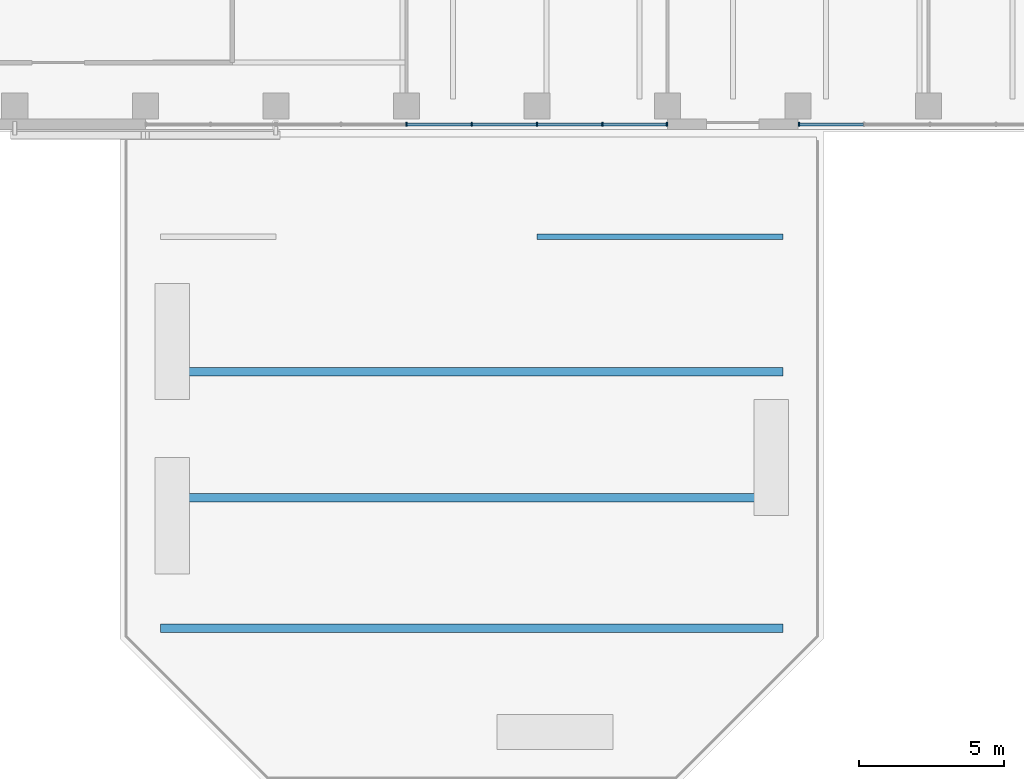
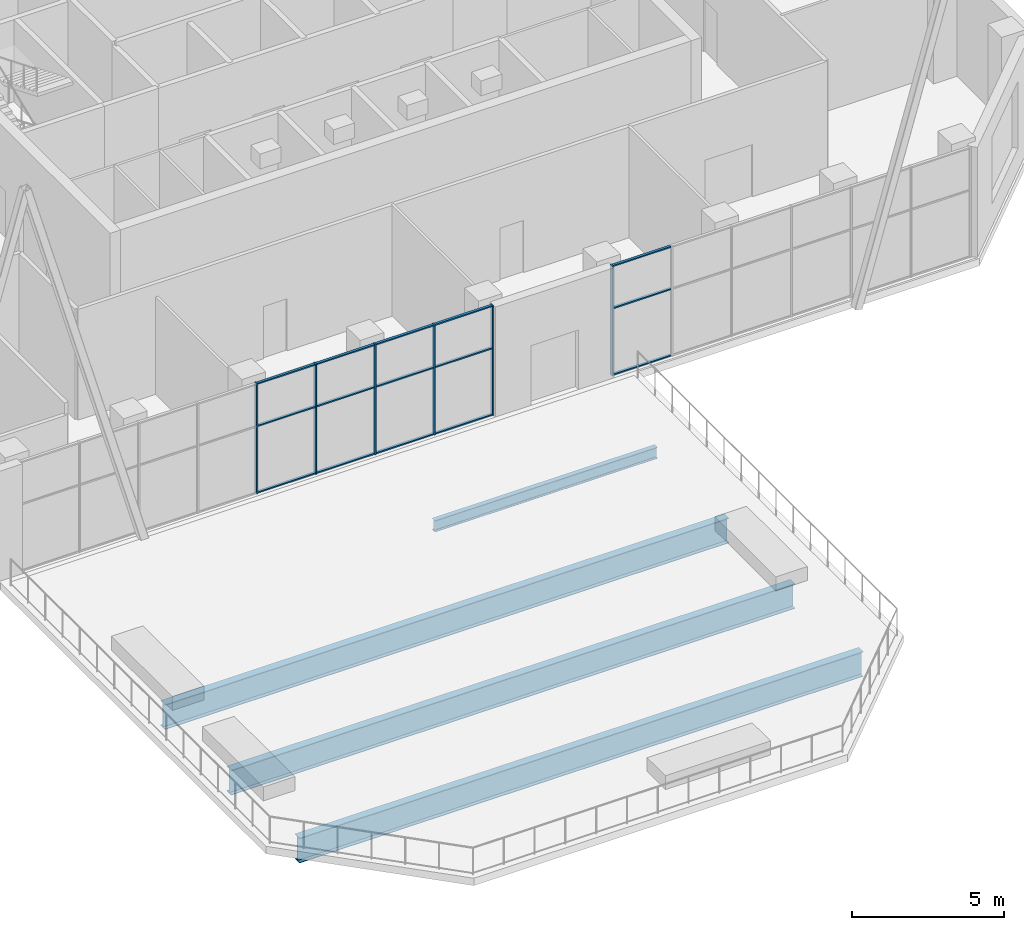
# One storey, part 3 of 14: 21 members, 4 beams, 2 elements without a shape of their own.
"""IFC4 building model written with IfcOpenShell, lengths in metres."""

import ifcopenshell
import ifcopenshell.guid

model = None  # the IFC model being written
_history = None  # IfcOwnerHistory: only IFC2X3 demands one
_inside = {}  # id of a spatial element -> (the spatial element, [elements in it])
_under = {}  # id of a project, library or spatial element -> (it, [spatial elements below it])
_declared = {}  # id of a project -> (the project, [libraries it declares])
_typed = {}  # id of a type object -> (the type object, [elements of that type])
_made_of = {}  # id of a material, layer set ... -> (it, [elements and type objects made of it])


def new_model(schema):
    """Start an empty IFC model of exactly this schema.

    Asked for "IFC4X3", IfcOpenShell would pick the latest addendum, in which some entities
    have other attributes; the version numbers below select the first issue.
    IFC2X3 requires an IfcOwnerHistory on every rooted entity: one is made here for all.
    """
    global model, _history
    if schema == "IFC4X3":
        model = ifcopenshell.file(schema_version=(4, 3, 0, 0))
    else:
        model = ifcopenshell.file(schema=schema)
    _inside.clear()
    _under.clear()
    _declared.clear()
    _typed.clear()
    _made_of.clear()
    _history = None
    if model.schema == "IFC2X3":
        org = make("IfcOrganization", Name="unknown")
        user = make(
            "IfcPersonAndOrganization",
            ThePerson=make("IfcPerson", FamilyName="unknown"),
            TheOrganization=org,
        )
        app = make(
            "IfcApplication",
            ApplicationDeveloper=org,
            Version="unknown",
            ApplicationFullName="unknown",
            ApplicationIdentifier="unknown",
        )
        _history = make(
            "IfcOwnerHistory",
            OwningUser=user,
            OwningApplication=app,
            ChangeAction="ADDED",
            CreationDate=0,
        )
    return model


def make(cls, **values):
    """One entity of the class cls with the attributes given. An attribute that is None is left unset."""
    return model.create_entity(
        cls, **{name: value for name, value in values.items() if value is not None}
    )


def rooted(cls, **values):
    """An entity with a GlobalId (a new one), such as an element, a storey or a relation."""
    return make(cls, GlobalId=ifcopenshell.guid.new(), OwnerHistory=_history, **values)


def si_unit(unit_type, name, prefix=None):
    """IfcSIUnit, for example si_unit("LENGTHUNIT", "METRE", prefix="MILLI")."""
    return make("IfcSIUnit", UnitType=unit_type, Prefix=prefix, Name=name)


def assignment(units):
    """IfcUnitAssignment: the units of a project."""
    return None if units is None else make("IfcUnitAssignment", Units=units)


def point(xyz):
    """IfcCartesianPoint."""
    return None if xyz is None else make("IfcCartesianPoint", Coordinates=xyz)


def direction(xyz):
    """IfcDirection."""
    return None if xyz is None else make("IfcDirection", DirectionRatios=xyz)


def frame(location, z_axis=None, x_axis=None):
    """IfcAxis2Placement3D, a coordinate frame: its origin and axes. An axis left out is left unset."""
    return make(
        "IfcAxis2Placement3D",
        Location=point(location),
        Axis=direction(z_axis),
        RefDirection=direction(x_axis),
    )


def frame_2d(location, x_axis=None):
    """IfcAxis2Placement2D, a coordinate frame in the plane: its origin and x axis."""
    return make(
        "IfcAxis2Placement2D", Location=point(location), RefDirection=direction(x_axis)
    )


def origin():
    """The frame at (0, 0, 0) with its axes left unset."""
    return frame((0.0, 0.0, 0.0))


def origin_2d():
    """The frame at (0, 0) in the plane with its x axis left unset."""
    return frame_2d((0.0, 0.0))


def place(relative_to, where):
    """IfcLocalPlacement: puts the frame where relative to a parent placement (None: the world)."""
    return make(
        "IfcLocalPlacement", PlacementRelTo=relative_to, RelativePlacement=where
    )


def context(
    kind, dimensions, precision=None, world=None, true_north=None, identifier=None
):
    """IfcGeometricRepresentationContext, for example the 3D "Model" context."""
    return make(
        "IfcGeometricRepresentationContext",
        ContextIdentifier=identifier,
        ContextType=kind,
        CoordinateSpaceDimension=dimensions,
        Precision=precision,
        WorldCoordinateSystem=world,
        TrueNorth=true_north,
    )


def subcontext(parent, identifier, kind, view, scale=None):
    """IfcGeometricRepresentationSubContext, for example "Body" below "Model"."""
    return make(
        "IfcGeometricRepresentationSubContext",
        ContextIdentifier=identifier,
        ContextType=kind,
        ParentContext=parent,
        TargetScale=scale,
        TargetView=view,
    )


def project(units=None, contexts=None):
    """IfcProject with its units and contexts."""
    return rooted(
        "IfcProject",
        Name="project",
        RepresentationContexts=contexts,
        UnitsInContext=assignment(units),
    )


def spatial(cls, under=None, at=None, **own):
    """A site, building, storey or space (cls), placed at a placement, below another one or the project."""
    s = rooted(cls, ObjectPlacement=at, **own)
    if under is not None:
        _under.setdefault(under.id(), (under, []))[1].append(s)
    return s


def profile(cls, at=None, kind="AREA", **sizes):
    """A parametric profile (cls). Its sizes go by their IFC names, for example OverallWidth=200.0."""
    return make(cls, ProfileType=kind, Position=at, **sizes)


def rectangle(**sizes):
    """IfcRectangleProfileDef."""
    return profile("IfcRectangleProfileDef", **sizes)


def i_section(**sizes):
    """IfcIShapeProfileDef."""
    return profile("IfcIShapeProfileDef", **sizes)


def extrude(swept, where, along, depth):
    """IfcExtrudedAreaSolid: the profile swept, set in the frame where, extruded along a direction by depth."""
    return make(
        "IfcExtrudedAreaSolid",
        SweptArea=swept,
        Position=where,
        ExtrudedDirection=direction(along),
        Depth=depth,
    )


def shape(context_of_items, identifier, shape_type, items):
    """IfcShapeRepresentation: the items that make up one representation, for example the "Body"."""
    return make(
        "IfcShapeRepresentation",
        ContextOfItems=context_of_items,
        RepresentationIdentifier=identifier,
        RepresentationType=shape_type,
        Items=items,
    )


def material(Name=None, Category=None):
    """IfcMaterial."""
    return make("IfcMaterial", Name=Name, Category=Category)


def constituent(of_material, Name=None, Category=None, fraction=None):
    """IfcMaterialConstituent: one of the materials an element consists of."""
    return make(
        "IfcMaterialConstituent",
        Name=Name,
        Material=of_material,
        Fraction=fraction,
        Category=Category,
    )


def constituent_set(constituents=None, Name=None):
    """IfcMaterialConstituentSet."""
    return make(
        "IfcMaterialConstituentSet", Name=Name, MaterialConstituents=constituents
    )


def material_profile(
    of_material, cross_section, Name=None, Category=None, Priority=None
):
    """IfcMaterialProfile: a cross section and its material."""
    return make(
        "IfcMaterialProfile",
        Name=Name,
        Material=of_material,
        Profile=cross_section,
        Priority=Priority,
        Category=Category,
    )


def profile_set(profiles, Name=None, composite=None):
    """IfcMaterialProfileSet."""
    return make(
        "IfcMaterialProfileSet",
        Name=Name,
        MaterialProfiles=profiles,
        CompositeProfile=composite,
    )


def made_of(thing, what):
    """Note that an element or type object is made of a material, layer set ...; save() writes the relation."""
    if what is not None:
        _made_of.setdefault(what.id(), (what, []))[1].append(thing)
    return thing


def type_object(cls, material=None, **own):
    """A type object (cls), such as IfcWallType, which elements share."""
    return made_of(rooted(cls, **own), material)


def element(
    cls,
    number,
    at=None,
    inside=None,
    cuts=None,
    type_object=None,
    material=None,
    context=None,
    identifier="Body",
    shape_type=None,
    held_by="IfcProductDefinitionShape",
    body=None,
    shapes=None,
    **own,
):
    """One element of the class cls, such as IfcWall. Its Tag is "e" and its number.

    at: its placement. inside: the storey or other place that contains it. cuts: it is an
    opening in that element (IfcRelVoidsElement). A single representation is given by context,
    identifier, shape_type and body (its items); several are given by shapes. held_by: the class
    of the entity that holds the representations. save() writes the other relations.
    """
    e = rooted(cls, Tag="e%d" % number, ObjectPlacement=at, **own)
    if body is not None:
        shapes = [shape(context, identifier, shape_type, body)]
    if shapes is not None:
        e.Representation = make(held_by, Representations=shapes)
    if inside is not None:
        _inside.setdefault(inside.id(), (inside, []))[1].append(e)
    if cuts is not None:
        rooted(
            "IfcRelVoidsElement", RelatingBuildingElement=cuts, RelatedOpeningElement=e
        )
    if type_object is not None:
        _typed.setdefault(type_object.id(), (type_object, []))[1].append(e)
    return made_of(e, material)


def aggregate(whole, parts):
    """IfcRelAggregates: a whole, such as a stair, and the parts it consists of."""
    return rooted("IfcRelAggregates", RelatingObject=whole, RelatedObjects=parts)


def save(model, path):
    """Write the relations noted so far, then the file.

    IfcRelAggregates (storeys below a building ...), IfcRelContainedInSpatialStructure (elements
    in a storey), IfcRelDefinesByType, IfcRelAssociatesMaterial and IfcRelDeclares: one each for
    every whole, place, type object, material and project.
    """
    for whole, parts in _under.values():
        aggregate(whole, parts)
    for where, things in _inside.values():
        rooted(
            "IfcRelContainedInSpatialStructure",
            RelatedElements=things,
            RelatingStructure=where,
        )
    for kind, things in _typed.values():
        rooted("IfcRelDefinesByType", RelatedObjects=things, RelatingType=kind)
    for what, things in _made_of.values():
        rooted("IfcRelAssociatesMaterial", RelatedObjects=things, RelatingMaterial=what)
    for by, libraries in _declared.values():
        rooted("IfcRelDeclares", RelatingContext=by, RelatedDefinitions=libraries)
    model.write(path)


model = new_model("IFC4")

# Units and contexts
model_context = context("Model", 3, precision=1e-05, world=origin(), true_north=direction((0.0, 1.0)))
body_context = subcontext(model_context, "Body", "Model", "MODEL_VIEW")
ifc_project = project(units=[si_unit("LENGTHUNIT", "METRE"), si_unit("AREAUNIT", "SQUARE_METRE"), si_unit("VOLUMEUNIT", "CUBIC_METRE"), si_unit("PLANEANGLEUNIT", "RADIAN"), si_unit("MASSUNIT", "GRAM", prefix="KILO")], contexts=[model_context])

# Site, building, storey
site_placement = place(None, origin())
site = spatial("IfcSite", under=ifc_project, at=site_placement, CompositionType="ELEMENT")
building_placement = place(site_placement, origin())
building = spatial("IfcBuilding", under=site, at=building_placement, Name="Quoin Convention Tower", CompositionType="ELEMENT")
storey_placement = place(building_placement, frame((0.0, 0.0, 143.10009765625)))
storey = spatial("IfcBuildingStorey", under=building, at=storey_placement, Name="L37", CompositionType="ELEMENT", Elevation=143.10009765625)

# Beams
ifc_material_1 = material(Name="Steel Grade 300", Category="steel")
ifc_material_profile_1 = material_profile(ifc_material_1, i_section(OverallWidth=0.300048828125, OverallDepth=1.0, WebThickness=0.01611328125, FlangeThickness=0.02001953125, at=origin_2d()), Name="1000WB215")
ifc_profile_set_1 = profile_set([ifc_material_profile_1], Name="Steel Grade 300")
beam_type_1 = type_object("IfcBeamType", Name="1000WB215", PredefinedType="BEAM", material=ifc_profile_set_1)
for number, where, z_axis, x_axis, name in (
    (1, (36.52490234375, 22.5, -0.800048828125), (1.0, 0.0, 0.0), (0.0, 1.0, 0.0), "gir-L37-RT3-1-0"),
    (2, (36.52490234375, 27.0, -0.800048828125), (1.0, 0.0, 0.0), (0.0, 1.0, 0.0), "gir-L37-RT3-2-0"),
    (3, (36.52490234375, 31.35009765625, -0.800048828125), (1.0, 0.0, 0.0), (0.0, 1.0, 0.0), "gir-L37-RT3-3-0"),
):
    element("IfcBeam", number, at=place(storey_placement, frame(where, z_axis=z_axis, x_axis=x_axis)), inside=storey, type_object=beam_type_1, Name=name, PredefinedType="BEAM", context=body_context, shape_type="SweptSolid", body=[
        extrude(i_section(OverallWidth=0.300048828125, OverallDepth=1.0, WebThickness=0.01611328125, FlangeThickness=0.02001953125, at=origin_2d()), origin(), (0.0, 0.0, 1.0), 21.4501953125),
    ])
ifc_material_profile_2 = material_profile(ifc_material_1, i_section(OverallWidth=0.18994140625, OverallDepth=0.4541015625, WebThickness=0.008544921875, FlangeThickness=0.0126953125, FilletRadius=0.011474609375, at=origin_2d()), Name="460UB67.1")
ifc_profile_set_2 = profile_set([ifc_material_profile_2], Name="Steel Grade 300")
beam_type_2 = type_object("IfcBeamType", Name="460UB67.1", PredefinedType="BEAM", material=ifc_profile_set_2)
beam_placement = place(storey_placement, frame((49.5, 36.0, -0.527099609375), z_axis=(1.0, 0.0, 0.0), x_axis=(0.0, 1.0, 0.0)))
element("IfcBeam", 4, at=beam_placement, inside=storey, type_object=beam_type_2, Name="gir-L37-RT3-4-1", PredefinedType="BEAM", context=body_context, shape_type="SweptSolid", body=[
    extrude(i_section(OverallWidth=0.18994140625, OverallDepth=0.4541015625, WebThickness=0.008544921875, FlangeThickness=0.0126953125, FilletRadius=0.011474609375, at=origin_2d()), origin(), (0.0, 0.0, 1.0), 8.47509765625),
])

# Curtain wall, members
ifc_material_2 = material(Name="Aluminium", Category="aluminium")
ifc_constituent_1 = constituent(ifc_material_2, Name="Frame")
ifc_material_3 = material(Name="Insulated glass", Category="glass")
ifc_constituent_2 = constituent(ifc_material_3, Name="Glazing")
ifc_constituent_set = constituent_set(constituents=[ifc_constituent_1, ifc_constituent_2], Name="Aluminium")
curtain_wall_type = type_object("IfcCurtainWallType", Name="Sky lobby glazing system", PredefinedType="NOTDEFINED", material=ifc_constituent_set)
curtain_wall_1_placement = place(storey_placement, origin())
curtain_wall_1 = element("IfcCurtainWall", 5, at=curtain_wall_1_placement, inside=storey, type_object=curtain_wall_type, Name="cw-SKY-L37-36000_39875", PredefinedType="NOTDEFINED")
ifc_material_profile_3 = material_profile(ifc_material_2, rectangle(XDim=0.14990234375, YDim=0.050048828125, at=origin_2d()), Name="Sky lobby glazing mullion 50x150")
ifc_profile_set_3 = profile_set([ifc_material_profile_3], Name="Aluminium")
member_type_1 = type_object("IfcMemberType", Name="Sky lobby glazing mullion 50x150", PredefinedType="MULLION", material=ifc_profile_set_3)
member_1_placement = place(storey_placement, frame((45.0, 39.875, 0.0), z_axis=(0.0, 0.0, 1.0), x_axis=(0.0, 1.0, 0.0)))
member_1 = element("IfcMember", 6, at=member_1_placement, type_object=member_type_1, Name="CW3 mullion 5", PredefinedType="MULLION", context=body_context, shape_type="SweptSolid", body=[
    extrude(rectangle(XDim=0.14990234375, YDim=0.050048828125, at=origin_2d()), origin(), (0.0, 0.0, 1.0), 4.4248046875),
])
member_2_placement = place(storey_placement, frame((47.25, 39.875, 0.0), z_axis=(0.0, 0.0, 1.0), x_axis=(0.0, 1.0, 0.0)))
member_2 = element("IfcMember", 7, at=member_2_placement, type_object=member_type_1, Name="CW3 mullion 6", PredefinedType="MULLION", context=body_context, shape_type="SweptSolid", body=[
    extrude(rectangle(XDim=0.14990234375, YDim=0.050048828125, at=origin_2d()), origin(), (0.0, 0.0, 1.0), 4.4248046875),
])
member_3_placement = place(storey_placement, frame((49.5, 39.875, 0.0), z_axis=(0.0, 0.0, 1.0), x_axis=(0.0, 1.0, 0.0)))
member_3 = element("IfcMember", 8, at=member_3_placement, type_object=member_type_1, Name="CW3 mullion 7", PredefinedType="MULLION", context=body_context, shape_type="SweptSolid", body=[
    extrude(rectangle(XDim=0.14990234375, YDim=0.050048828125, at=origin_2d()), origin(), (0.0, 0.0, 1.0), 4.4248046875),
])
member_4_placement = place(storey_placement, frame((51.75, 39.875, 0.0), z_axis=(0.0, 0.0, 1.0), x_axis=(0.0, 1.0, 0.0)))
member_4 = element("IfcMember", 9, at=member_4_placement, type_object=member_type_1, Name="CW3 mullion 8", PredefinedType="MULLION", context=body_context, shape_type="SweptSolid", body=[
    extrude(rectangle(XDim=0.14990234375, YDim=0.050048828125, at=origin_2d()), origin(), (0.0, 0.0, 1.0), 4.4248046875),
])
member_5_placement = place(storey_placement, frame((53.97509765625, 39.875, 0.0), z_axis=(0.0, 0.0, 1.0), x_axis=(0.0, 1.0, 0.0)))
member_5 = element("IfcMember", 10, at=member_5_placement, type_object=member_type_1, Name="CW3 mullion 9", PredefinedType="MULLION", context=body_context, shape_type="SweptSolid", body=[
    extrude(rectangle(XDim=0.14990234375, YDim=0.050048828125, at=origin_2d()), origin(), (0.0, 0.0, 1.0), 4.4248046875),
])

# Curtain wall, member
curtain_wall_2_placement = place(storey_placement, origin())
curtain_wall_2 = element("IfcCurtainWall", 11, at=curtain_wall_2_placement, inside=storey, type_object=curtain_wall_type, Name="cw-SKY-L37-58500_39875", PredefinedType="NOTDEFINED")
member_6_placement = place(storey_placement, frame((58.52490234375, 39.875, 0.0), z_axis=(0.0, 0.0, 1.0), x_axis=(0.0, 1.0, 0.0)))
member_6 = element("IfcMember", 12, at=member_6_placement, type_object=member_type_1, Name="CW3 mullion 1", PredefinedType="MULLION", context=body_context, shape_type="SweptSolid", body=[
    extrude(rectangle(XDim=0.14990234375, YDim=0.050048828125, at=origin_2d()), origin(), (0.0, 0.0, 1.0), 4.4248046875),
])

# Member
ifc_material_profile_4 = material_profile(ifc_material_2, rectangle(XDim=0.10009765625, YDim=0.050048828125, at=origin_2d()), Name="Sky lobby glazing transom 50x100")
ifc_profile_set_4 = profile_set([ifc_material_profile_4], Name="Aluminium")
member_type_2 = type_object("IfcMemberType", Name="Sky lobby glazing transom 50x100", PredefinedType="USERDEFINED", material=ifc_profile_set_4)
member_7_placement = place(storey_placement, frame((45.02490234375, 39.875, 0.02490234375), z_axis=(1.0, 0.0, 0.0), x_axis=(0.0, 1.0, 0.0)))
member_7 = element("IfcMember", 13, at=member_7_placement, type_object=member_type_2, Name="CW3 transom 5.1", ObjectType="TRANSOM", PredefinedType="USERDEFINED", context=body_context, shape_type="SweptSolid", body=[
    extrude(rectangle(XDim=0.10009765625, YDim=0.050048828125, at=origin_2d()), origin(), (0.0, 0.0, 1.0), 2.2001953125),
])

member_8_placement = place(storey_placement, frame((45.02490234375, 39.875, 2.699951171875), z_axis=(1.0, 0.0, 0.0), x_axis=(0.0, 1.0, 0.0)))
member_8 = element("IfcMember", 14, at=member_8_placement, type_object=member_type_2, Name="CW3 transom 5.2", ObjectType="TRANSOM", PredefinedType="USERDEFINED", context=body_context, shape_type="SweptSolid", body=[
    extrude(rectangle(XDim=0.10009765625, YDim=0.050048828125, at=origin_2d()), origin(), (0.0, 0.0, 1.0), 2.2001953125),
])

member_9_placement = place(storey_placement, frame((45.02490234375, 39.875, 4.39990234375), z_axis=(1.0, 0.0, 0.0), x_axis=(0.0, 1.0, 0.0)))
member_9 = element("IfcMember", 15, at=member_9_placement, type_object=member_type_2, Name="CW3 transom 5.3", ObjectType="TRANSOM", PredefinedType="USERDEFINED", context=body_context, shape_type="SweptSolid", body=[
    extrude(rectangle(XDim=0.10009765625, YDim=0.050048828125, at=origin_2d()), origin(), (0.0, 0.0, 1.0), 2.2001953125),
])

member_10_placement = place(storey_placement, frame((47.27490234375, 39.875, 0.02490234375), z_axis=(1.0, 0.0, 0.0), x_axis=(0.0, 1.0, 0.0)))
member_10 = element("IfcMember", 16, at=member_10_placement, type_object=member_type_2, Name="CW3 transom 6.1", ObjectType="TRANSOM", PredefinedType="USERDEFINED", context=body_context, shape_type="SweptSolid", body=[
    extrude(rectangle(XDim=0.10009765625, YDim=0.050048828125, at=origin_2d()), origin(), (0.0, 0.0, 1.0), 2.2001953125),
])

member_11_placement = place(storey_placement, frame((47.27490234375, 39.875, 2.699951171875), z_axis=(1.0, 0.0, 0.0), x_axis=(0.0, 1.0, 0.0)))
member_11 = element("IfcMember", 17, at=member_11_placement, type_object=member_type_2, Name="CW3 transom 6.2", ObjectType="TRANSOM", PredefinedType="USERDEFINED", context=body_context, shape_type="SweptSolid", body=[
    extrude(rectangle(XDim=0.10009765625, YDim=0.050048828125, at=origin_2d()), origin(), (0.0, 0.0, 1.0), 2.2001953125),
])

member_12_placement = place(storey_placement, frame((47.27490234375, 39.875, 4.39990234375), z_axis=(1.0, 0.0, 0.0), x_axis=(0.0, 1.0, 0.0)))
member_12 = element("IfcMember", 18, at=member_12_placement, type_object=member_type_2, Name="CW3 transom 6.3", ObjectType="TRANSOM", PredefinedType="USERDEFINED", context=body_context, shape_type="SweptSolid", body=[
    extrude(rectangle(XDim=0.10009765625, YDim=0.050048828125, at=origin_2d()), origin(), (0.0, 0.0, 1.0), 2.2001953125),
])

member_13_placement = place(storey_placement, frame((49.52490234375, 39.875, 0.02490234375), z_axis=(1.0, 0.0, 0.0), x_axis=(0.0, 1.0, 0.0)))
member_13 = element("IfcMember", 19, at=member_13_placement, type_object=member_type_2, Name="CW3 transom 7.1", ObjectType="TRANSOM", PredefinedType="USERDEFINED", context=body_context, shape_type="SweptSolid", body=[
    extrude(rectangle(XDim=0.10009765625, YDim=0.050048828125, at=origin_2d()), origin(), (0.0, 0.0, 1.0), 2.2001953125),
])

member_14_placement = place(storey_placement, frame((49.52490234375, 39.875, 2.699951171875), z_axis=(1.0, 0.0, 0.0), x_axis=(0.0, 1.0, 0.0)))
member_14 = element("IfcMember", 20, at=member_14_placement, type_object=member_type_2, Name="CW3 transom 7.2", ObjectType="TRANSOM", PredefinedType="USERDEFINED", context=body_context, shape_type="SweptSolid", body=[
    extrude(rectangle(XDim=0.10009765625, YDim=0.050048828125, at=origin_2d()), origin(), (0.0, 0.0, 1.0), 2.2001953125),
])

member_15_placement = place(storey_placement, frame((49.52490234375, 39.875, 4.39990234375), z_axis=(1.0, 0.0, 0.0), x_axis=(0.0, 1.0, 0.0)))
member_15 = element("IfcMember", 21, at=member_15_placement, type_object=member_type_2, Name="CW3 transom 7.3", ObjectType="TRANSOM", PredefinedType="USERDEFINED", context=body_context, shape_type="SweptSolid", body=[
    extrude(rectangle(XDim=0.10009765625, YDim=0.050048828125, at=origin_2d()), origin(), (0.0, 0.0, 1.0), 2.2001953125),
])

member_16_placement = place(storey_placement, frame((51.77490234375, 39.875, 0.02490234375), z_axis=(1.0, 0.0, 0.0), x_axis=(0.0, 1.0, 0.0)))
member_16 = element("IfcMember", 22, at=member_16_placement, type_object=member_type_2, Name="CW3 transom 8.1", ObjectType="TRANSOM", PredefinedType="USERDEFINED", context=body_context, shape_type="SweptSolid", body=[
    extrude(rectangle(XDim=0.10009765625, YDim=0.050048828125, at=origin_2d()), origin(), (0.0, 0.0, 1.0), 2.175048828125),
])

member_17_placement = place(storey_placement, frame((51.77490234375, 39.875, 2.699951171875), z_axis=(1.0, 0.0, 0.0), x_axis=(0.0, 1.0, 0.0)))
member_17 = element("IfcMember", 23, at=member_17_placement, type_object=member_type_2, Name="CW3 transom 8.2", ObjectType="TRANSOM", PredefinedType="USERDEFINED", context=body_context, shape_type="SweptSolid", body=[
    extrude(rectangle(XDim=0.10009765625, YDim=0.050048828125, at=origin_2d()), origin(), (0.0, 0.0, 1.0), 2.175048828125),
])

member_18_placement = place(storey_placement, frame((51.77490234375, 39.875, 4.39990234375), z_axis=(1.0, 0.0, 0.0), x_axis=(0.0, 1.0, 0.0)))
member_18 = element("IfcMember", 24, at=member_18_placement, type_object=member_type_2, Name="CW3 transom 8.3", ObjectType="TRANSOM", PredefinedType="USERDEFINED", context=body_context, shape_type="SweptSolid", body=[
    extrude(rectangle(XDim=0.10009765625, YDim=0.050048828125, at=origin_2d()), origin(), (0.0, 0.0, 1.0), 2.175048828125),
])

aggregate(curtain_wall_1, [member_1, member_2, member_3, member_4, member_5, member_7, member_8, member_9, member_10, member_11, member_12, member_13, member_14, member_15, member_16, member_17, member_18])

member_19_placement = place(storey_placement, frame((58.550048828125, 39.875, 0.02490234375), z_axis=(1.0, 0.0, 0.0), x_axis=(0.0, 1.0, 0.0)))
member_19 = element("IfcMember", 25, at=member_19_placement, type_object=member_type_2, Name="CW3 transom 1.1", ObjectType="TRANSOM", PredefinedType="USERDEFINED", context=body_context, shape_type="SweptSolid", body=[
    extrude(rectangle(XDim=0.10009765625, YDim=0.050048828125, at=origin_2d()), origin(), (0.0, 0.0, 1.0), 2.200927734375),
])

member_20_placement = place(storey_placement, frame((58.550048828125, 39.875, 2.699951171875), z_axis=(1.0, 0.0, 0.0), x_axis=(0.0, 1.0, 0.0)))
member_20 = element("IfcMember", 26, at=member_20_placement, type_object=member_type_2, Name="CW3 transom 1.2", ObjectType="TRANSOM", PredefinedType="USERDEFINED", context=body_context, shape_type="SweptSolid", body=[
    extrude(rectangle(XDim=0.10009765625, YDim=0.050048828125, at=origin_2d()), origin(), (0.0, 0.0, 1.0), 2.200927734375),
])

member_21_placement = place(storey_placement, frame((58.550048828125, 39.875, 4.39990234375), z_axis=(1.0, 0.0, 0.0), x_axis=(0.0, 1.0, 0.0)))
member_21 = element("IfcMember", 27, at=member_21_placement, type_object=member_type_2, Name="CW3 transom 1.3", ObjectType="TRANSOM", PredefinedType="USERDEFINED", context=body_context, shape_type="SweptSolid", body=[
    extrude(rectangle(XDim=0.10009765625, YDim=0.050048828125, at=origin_2d()), origin(), (0.0, 0.0, 1.0), 2.200927734375),
])

aggregate(curtain_wall_2, [member_6, member_19, member_20, member_21])

save(model, "model.ifc")
